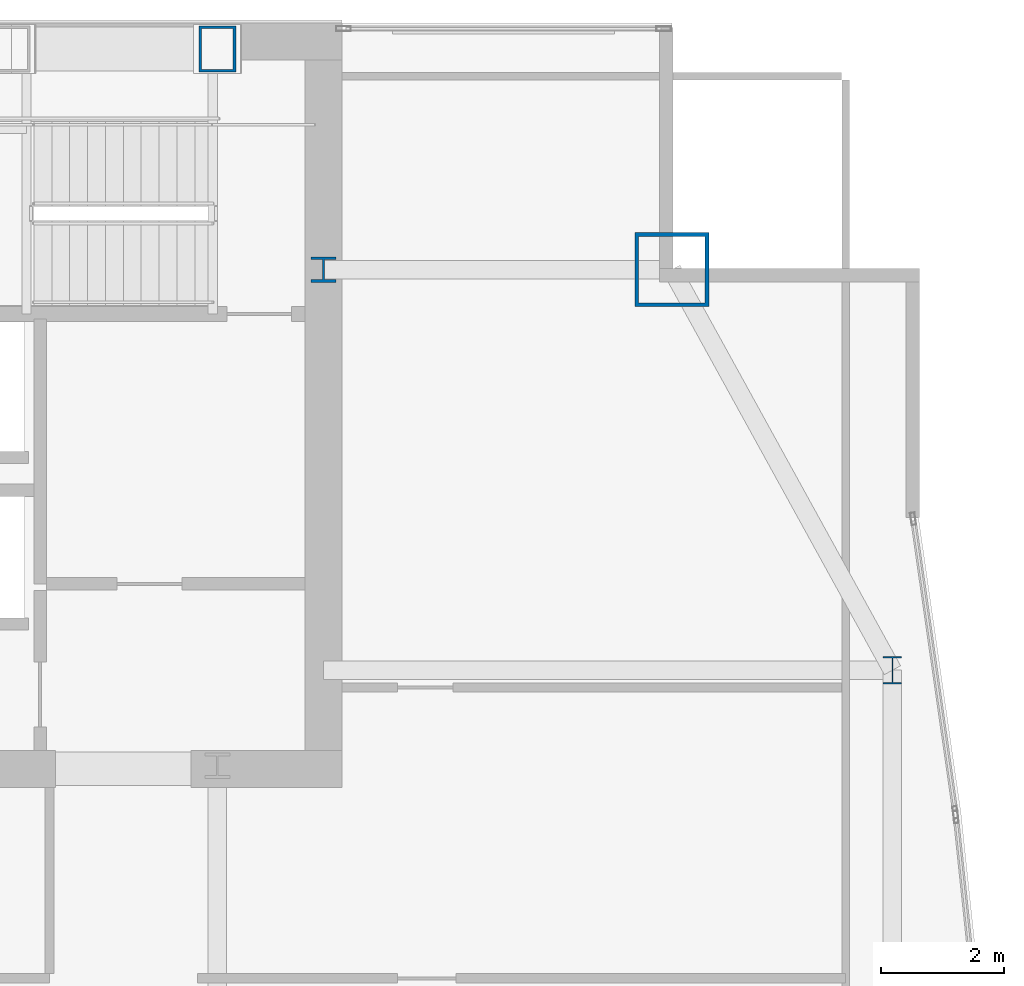
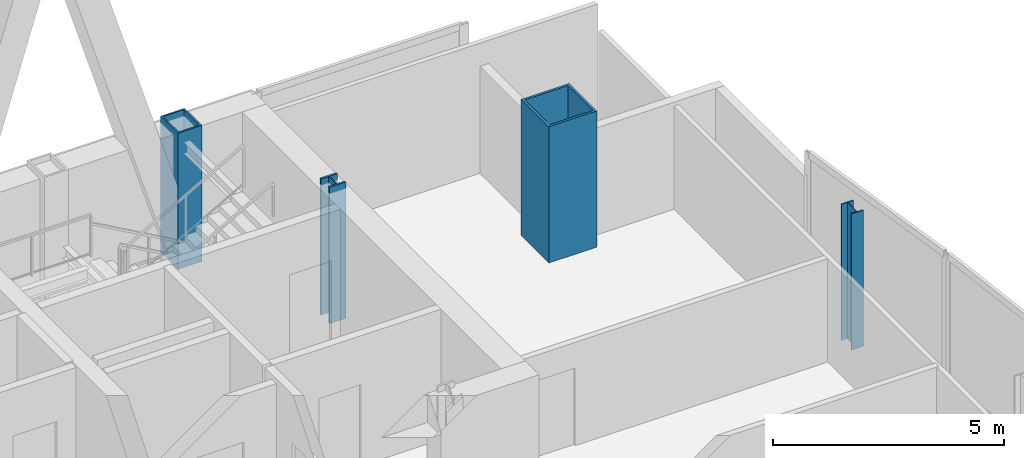
# One storey, part 4 of 32: 4 columns.
"""IFC4 building model written with IfcOpenShell, lengths in metres."""

from ifc_helpers import new_model, si_unit, direction, frame, origin, origin_2d, place, context, subcontext, project, spatial, hollow_rectangle, i_section, extrude, material, material_profile, profile_set, type_object, element, save


model = new_model("IFC4")

# Units and contexts
model_context = context("Model", 3, precision=1e-05, world=origin(), true_north=direction((0.0, 1.0)))
body_context = subcontext(model_context, "Body", "Model", "MODEL_VIEW")
ifc_project = project(units=[si_unit("LENGTHUNIT", "METRE"), si_unit("AREAUNIT", "SQUARE_METRE"), si_unit("VOLUMEUNIT", "CUBIC_METRE"), si_unit("PLANEANGLEUNIT", "RADIAN"), si_unit("MASSUNIT", "GRAM", prefix="KILO")], contexts=[model_context])

# Site, building, storey
site_placement = place(None, origin())
site = spatial("IfcSite", under=ifc_project, at=site_placement, CompositionType="ELEMENT")
building_placement = place(site_placement, origin())
building = spatial("IfcBuilding", under=site, at=building_placement, Name="Khoronbel Lancet Exchange", CompositionType="ELEMENT")
storey_placement = place(building_placement, frame((0.0, 0.0, 199.39990234375)))
storey = spatial("IfcBuildingStorey", under=building, at=storey_placement, Name="L50", CompositionType="ELEMENT", Elevation=199.39990234375)

# Columns
ifc_material_1 = material(Name="Steel S460", Category="steel")
ifc_material_profile_1 = material_profile(ifc_material_1, hollow_rectangle(XDim=0.60009765625, YDim=0.75, WallThickness=0.044921875, at=origin_2d()), Name="BOX 750x600x45")
ifc_profile_set_1 = profile_set([ifc_material_profile_1], Name="Steel S460")
column_type_1 = type_object("IfcColumnType", Name="COL-EC3", PredefinedType="COLUMN", material=ifc_profile_set_1)
column_1_placement = place(storey_placement, frame((54.675048828125, 53.280029296875, 0.0), z_axis=(0.0, 0.0, 1.0), x_axis=(1.0, 0.0, 0.0)))
element("IfcColumn", 1, at=column_1_placement, inside=storey, type_object=column_type_1, Name="Structural column NC-E2 L50", PredefinedType="COLUMN", context=body_context, shape_type="SweptSolid", body=[
    extrude(hollow_rectangle(XDim=0.60009765625, YDim=0.75, WallThickness=0.044921875, at=origin_2d()), origin(), (0.0, 0.0, 1.0), 3.60009765625),
])
ifc_material_2 = material(Name="Steel S355", Category="steel")
ifc_material_profile_2 = material_profile(ifc_material_2, i_section(OverallWidth=0.406005859375, OverallDepth=0.416015625, WebThickness=0.02978515625, FlangeThickness=0.048095703125, at=origin_2d()), Name="HD 400x382")
ifc_profile_set_2 = profile_set([ifc_material_profile_2], Name="Steel S355")
column_type_2 = type_object("IfcColumnType", Name="COL-IC3", PredefinedType="COLUMN", material=ifc_profile_set_2)
column_2_placement = place(storey_placement, frame((56.39990234375, 49.699951171875, 0.0), z_axis=(0.0, 0.0, 1.0), x_axis=(1.0, 0.0, 0.0)))
element("IfcColumn", 2, at=column_2_placement, inside=storey, type_object=column_type_2, Name="Core-flank plumb transfer column CFE L50", PredefinedType="COLUMN", context=body_context, shape_type="SweptSolid", body=[
    extrude(i_section(OverallWidth=0.406005859375, OverallDepth=0.416015625, WebThickness=0.02978515625, FlangeThickness=0.048095703125, at=origin_2d()), origin(), (0.0, 0.0, 1.0), 3.60009765625),
])
ifc_material_profile_3 = material_profile(ifc_material_2, i_section(OverallWidth=0.300048828125, OverallDepth=0.449951171875, WebThickness=0.013916015625, FlangeThickness=0.02587890625, at=origin_2d()), Name="HEB 450")
ifc_profile_set_3 = profile_set([ifc_material_profile_3], Name="Steel S355")
column_type_3 = type_object("IfcColumnType", Name="COL-LC2", PredefinedType="COLUMN", material=ifc_profile_set_3)
column_3_placement = place(storey_placement, frame((65.6298828125, 43.199951171875, 0.0), z_axis=(0.0, 0.0, 1.0), x_axis=(1.0, 0.0, 0.0)))
element("IfcColumn", 3, at=column_3_placement, inside=storey, type_object=column_type_3, Name="Structural column EC-4 L50", PredefinedType="COLUMN", context=body_context, shape_type="SweptSolid", body=[
    extrude(i_section(OverallWidth=0.300048828125, OverallDepth=0.449951171875, WebThickness=0.013916015625, FlangeThickness=0.02587890625, at=origin_2d()), origin(), (0.0, 0.0, 1.0), 3.60009765625),
])
ifc_material_profile_4 = material_profile(ifc_material_1, hollow_rectangle(XDim=1.199951171875, YDim=1.199951171875, WallThickness=0.06005859375, at=origin_2d()), Name="BOX 1200x1200x60")
ifc_profile_set_4 = profile_set([ifc_material_profile_4], Name="Steel S460")
column_type_4 = type_object("IfcColumnType", Name="COL-MC5", PredefinedType="COLUMN", material=ifc_profile_set_4)
column_4_placement = place(storey_placement, frame((62.050048828125, 49.699951171875, 0.0), z_axis=(0.0, 0.0, 1.0), x_axis=(1.0, 0.0, 0.0)))
element("IfcColumn", 4, at=column_4_placement, inside=storey, type_object=column_type_4, Name="Structural column MC-NE L50", PredefinedType="COLUMN", context=body_context, shape_type="SweptSolid", body=[
    extrude(hollow_rectangle(XDim=1.199951171875, YDim=1.199951171875, WallThickness=0.06005859375, at=origin_2d()), origin(), (0.0, 0.0, 1.0), 3.60009765625),
])

save(model, "model.ifc")
